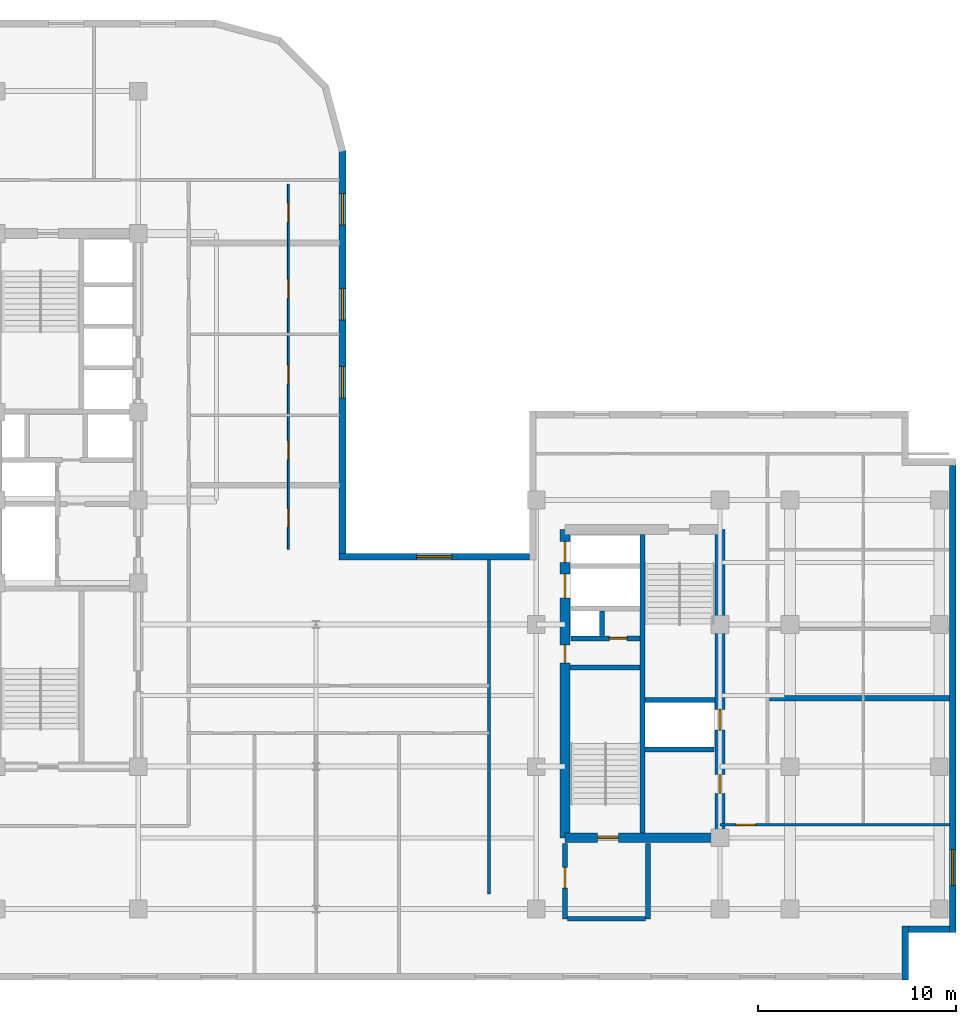
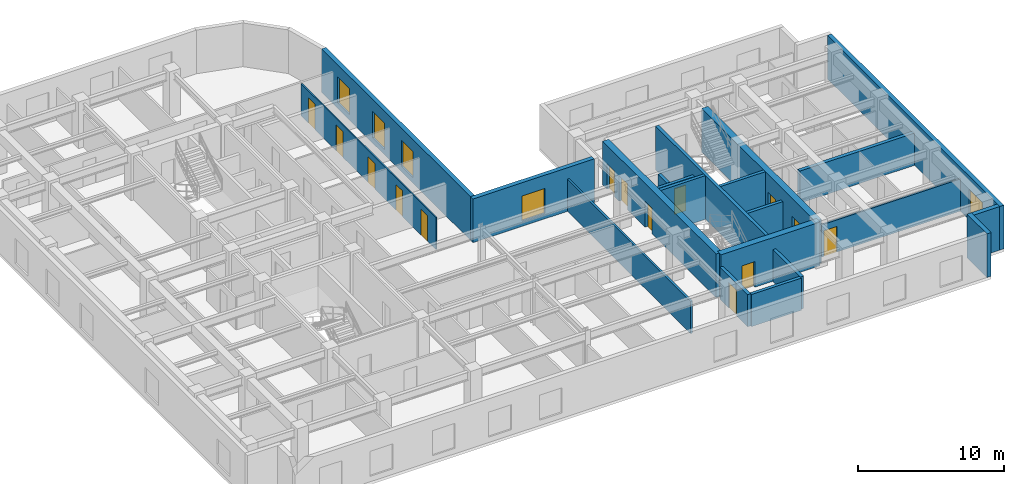
# One storey, part 6 of 11: 21 walls, 14 doors, 5 windows, 19 openings.
"""IFC4 building model written with IfcOpenShell, lengths in metres."""

from ifc_helpers import new_model, entity, si_unit, converted_unit, direction, frame, origin_with_axes, origin_2d_with_axis, place, context, subcontext, project, spatial, polyline, rectangle, outline, extrude, material, layer, layer_set, type_object, element, fill, save


model = new_model("IFC4")

# Units and contexts
model_context = context("Model", 3, precision=1e-05, world=origin_with_axes(), true_north=direction((0.0, 1.0)))
body_context = subcontext(model_context, "Body", "Model", "MODEL_VIEW")
ifc_project = project(units=[si_unit("LENGTHUNIT", "METRE"), si_unit("AREAUNIT", "SQUARE_METRE"), si_unit("VOLUMEUNIT", "CUBIC_METRE"), converted_unit("PLANEANGLEUNIT", "DEGREE", entity("IfcPlaneAngleMeasure", 0.017453292519943295), si_unit("PLANEANGLEUNIT", "RADIAN"), dimensions=[0, 0, 0, 0, 0, 0, 0]), si_unit("MASSUNIT", "GRAM", prefix="KILO"), si_unit("THERMODYNAMICTEMPERATUREUNIT", "KELVIN")], contexts=[model_context])

# Site, building, storey
site_placement = place(None, origin_with_axes())
site = spatial("IfcSite", under=ifc_project, at=site_placement, CompositionType="ELEMENT")
building_placement = place(site_placement, origin_with_axes())
building = spatial("IfcBuilding", under=site, at=building_placement, Name="Varnlund Millrace Tower", CompositionType="ELEMENT")
storey_placement = place(building_placement, frame((0.0, 0.0, 200.4), z_axis=(0.0, 0.0, 1.0), x_axis=(1.0, 0.0, 0.0)))
storey = spatial("IfcBuildingStorey", under=building, at=storey_placement, Name="L49", CompositionType="ELEMENT", Elevation=200.4)

# Wall, openings, doors
ifc_material_1 = material(Name="Concrete C70/85", Category="concrete")
ifc_layer_1 = layer(ifc_material_1, 0.5, Name="Concrete C70/85")
ifc_layer_set_1 = layer_set([ifc_layer_1], Name="Concrete C70/85")
wall_type_1 = type_object("IfcWallType", Name="Type-CoreWall-Shear-500-C70", PredefinedType="SHEAR", material=ifc_layer_set_1)
wall_1_placement = place(storey_placement, frame((40.2, 7.2, 0.0), z_axis=(0.0, 0.0, 1.0), x_axis=(0.0, 1.0, 0.0)))
wall_1 = element("IfcWall", 1, at=wall_1_placement, inside=storey, type_object=wall_type_1, Name="Type-CoreWall-Shear-500-C70", PredefinedType="SHEAR", context=body_context, shape_type="SweptSolid", body=[
    extrude(outline(polyline([(0.0, -0.25), (15.6, -0.25), (15.6, 0.25), (0.0, 0.25), (0.0, -0.25)])), origin_with_axes(), (0.0, 0.0, 1.0), 3.66),
])
opening_1_placement = place(wall_1_placement, frame((14.475, 0.0, 0.0), z_axis=(0.0, 0.0, 1.0), x_axis=(1.0, 0.0, 0.0)))
opening_1 = element("IfcOpeningElement", 2, at=opening_1_placement, cuts=wall_1, Name="Opening L49:LD-ELV-M4", PredefinedType="OPENING", context=body_context, shape_type="SweptSolid", body=[
    extrude(rectangle(XDim=1.05, YDim=0.52, at=origin_2d_with_axis()), origin_with_axes(), (0.0, 0.0, 1.0), 2.15),
])
opening_2_placement = place(wall_1_placement, frame((12.75, 0.0, 0.0), z_axis=(0.0, 0.0, 1.0), x_axis=(1.0, 0.0, 0.0)))
opening_2 = element("IfcOpeningElement", 3, at=opening_2_placement, cuts=wall_1, Name="Opening L49:LD-SRV2", PredefinedType="OPENING", context=body_context, shape_type="SweptSolid", body=[
    extrude(rectangle(XDim=1.2, YDim=0.52, at=origin_2d_with_axis()), origin_with_axes(), (0.0, 0.0, 1.0), 2.15),
])
opening_3_placement = place(wall_1_placement, frame((9.3, 0.0, 0.0), z_axis=(0.0, 0.0, 1.0), x_axis=(1.0, 0.0, 0.0)))
opening_3 = element("IfcOpeningElement", 4, at=opening_3_placement, cuts=wall_1, Name="Opening L49:DR-CB-JAN", PredefinedType="OPENING", context=body_context, shape_type="SweptSolid", body=[
    extrude(rectangle(XDim=0.9, YDim=0.52, at=origin_2d_with_axis()), origin_with_axes(), (0.0, 0.0, 1.0), 2.15),
])
ifc_material_2 = material(Name="Fire-rated hollow steel service closet door", Category="steel")
door_type_1 = type_object("IfcDoorType", Name="Type-FireDoor-Closet-900X2150", OperationType="NOTDEFINED", PredefinedType="DOOR", material=ifc_material_2)
door_1_placement = place(wall_1_placement, frame((9.3, 0.0, 0.0), z_axis=(0.0, 0.0, 1.0), x_axis=(1.0, 0.0, 0.0)))
door_1 = element("IfcDoor", 5, at=door_1_placement, inside=storey, type_object=door_type_1, Name="Type-FireDoor-Closet-900X2150", OperationType="SINGLE_SWING_RIGHT", OverallHeight=2.15, OverallWidth=0.9, PredefinedType="DOOR", context=body_context, shape_type="SweptSolid", body=[
    extrude(rectangle(XDim=0.9, YDim=0.09, at=origin_2d_with_axis()), origin_with_axes(), (0.0, 0.0, 1.0), 2.15),
])
fill(opening_3, door_1)
ifc_material_3 = material(Name="Architectural bronze sliding landing door")
door_type_2 = type_object("IfcDoorType", Name="Type-LiftLandingDoor-Compact-1050X2150", OperationType="NOTDEFINED", PredefinedType="DOOR", material=ifc_material_3)
door_2_placement = place(wall_1_placement, frame((14.475, 0.0, 0.0), z_axis=(0.0, 0.0, 1.0), x_axis=(1.0, 0.0, 0.0)))
door_2 = element("IfcDoor", 6, at=door_2_placement, inside=storey, type_object=door_type_2, Name="Type-LiftLandingDoor-Compact-1050X2150", OperationType="SLIDING_TO_RIGHT", OverallHeight=2.15, OverallWidth=1.05, PredefinedType="DOOR", context=body_context, shape_type="SweptSolid", body=[
    extrude(rectangle(XDim=1.05, YDim=0.09, at=origin_2d_with_axis()), origin_with_axes(), (0.0, 0.0, 1.0), 2.15),
])
fill(opening_1, door_2)
ifc_material_4 = material(Name="Heavy-duty freight sliding landing door")
door_type_3 = type_object("IfcDoorType", Name="Type-LiftLandingDoor-Service-1200X2150", OperationType="NOTDEFINED", PredefinedType="DOOR", material=ifc_material_4)
door_3_placement = place(wall_1_placement, frame((12.75, 0.0, 0.0), z_axis=(0.0, 0.0, 1.0), x_axis=(1.0, 0.0, 0.0)))
door_3 = element("IfcDoor", 7, at=door_3_placement, inside=storey, type_object=door_type_3, Name="Type-LiftLandingDoor-Service-1200X2150", OperationType="DOUBLE_DOOR_SLIDING", OverallHeight=2.15, OverallWidth=1.2, PredefinedType="DOOR", context=body_context, shape_type="SweptSolid", body=[
    extrude(rectangle(XDim=1.2, YDim=0.09, at=origin_2d_with_axis()), origin_with_axes(), (0.0, 0.0, 1.0), 2.15),
])
fill(opening_2, door_3)

# Wall, opening, door
wall_2_placement = place(storey_placement, frame((40.2, 7.2, 0.0), z_axis=(0.0, 0.0, 1.0), x_axis=(1.0, 0.0, 0.0)))
wall_2 = element("IfcWall", 8, at=wall_2_placement, inside=storey, type_object=wall_type_1, Name="Type-CoreWall-Shear-500-C70", PredefinedType="SHEAR", context=body_context, shape_type="SweptSolid", body=[
    extrude(outline(polyline([(0.0, -0.25), (7.85, -0.25), (7.85, 0.25), (0.0, 0.25), (0.0, -0.25)])), origin_with_axes(), (0.0, 0.0, 1.0), 3.66),
])
opening_4_placement = place(wall_2_placement, frame((2.175, 0.0, 0.0), z_axis=(0.0, 0.0, 1.0), x_axis=(1.0, 0.0, 0.0)))
opening_4 = element("IfcOpeningElement", 9, at=opening_4_placement, cuts=wall_2, Name="Opening L49:DR-STB1", PredefinedType="OPENING", context=body_context, shape_type="SweptSolid", body=[
    extrude(rectangle(XDim=1.05, YDim=0.52, at=origin_2d_with_axis()), origin_with_axes(), (0.0, 0.0, 1.0), 2.15),
])
ifc_material_5 = material(Name="Fire-rated hollow steel door", Category="steel")
door_type_4 = type_object("IfcDoorType", Name="Type-FireDoor-Stair-1050X2150", OperationType="NOTDEFINED", PredefinedType="DOOR", material=ifc_material_5)
door_4_placement = place(wall_2_placement, frame((2.175, 0.0, 0.0), z_axis=(0.0, 0.0, 1.0), x_axis=(1.0, 0.0, 0.0)))
door_4 = element("IfcDoor", 10, at=door_4_placement, inside=storey, type_object=door_type_4, Name="Type-FireDoor-Stair-1050X2150", OperationType="SINGLE_SWING_LEFT", OverallHeight=2.15, OverallWidth=1.05, PredefinedType="DOOR", context=body_context, shape_type="SweptSolid", body=[
    extrude(rectangle(XDim=1.05, YDim=0.09, at=origin_2d_with_axis()), origin_with_axes(), (0.0, 0.0, 1.0), 2.15),
])
fill(opening_4, door_4)

# Wall, openings, doors
wall_3_placement = place(storey_placement, frame((48.05, 7.2, 0.0), z_axis=(0.0, 0.0, 1.0), x_axis=(0.0, 1.0, 0.0)))
wall_3 = element("IfcWall", 11, at=wall_3_placement, inside=storey, type_object=wall_type_1, Name="Type-CoreWall-Shear-500-C70", PredefinedType="SHEAR", context=body_context, shape_type="SweptSolid", body=[
    extrude(outline(polyline([(0.0, -0.25), (15.6, -0.25), (15.6, 0.25), (0.0, 0.25), (0.0, -0.25)])), origin_with_axes(), (0.0, 0.0, 1.0), 3.66),
])
opening_5_placement = place(wall_3_placement, frame((5.975, 0.0, 0.0), z_axis=(0.0, 0.0, 1.0), x_axis=(1.0, 0.0, 0.0)))
opening_5 = element("IfcOpeningElement", 12, at=opening_5_placement, cuts=wall_3, Name="Opening L49:LD-ELV-M3", PredefinedType="OPENING", context=body_context, shape_type="SweptSolid", body=[
    extrude(rectangle(XDim=1.05, YDim=0.52, at=origin_2d_with_axis()), origin_with_axes(), (0.0, 0.0, 1.0), 2.15),
])
opening_6_placement = place(wall_3_placement, frame((2.725, 0.0, 0.0), z_axis=(0.0, 0.0, 1.0), x_axis=(1.0, 0.0, 0.0)))
opening_6 = element("IfcOpeningElement", 13, at=opening_6_placement, cuts=wall_3, Name="Opening L49:DR-CB-WC", PredefinedType="OPENING", context=body_context, shape_type="SweptSolid", body=[
    extrude(rectangle(XDim=0.95, YDim=0.52, at=origin_2d_with_axis()), origin_with_axes(), (0.0, 0.0, 1.0), 2.15),
])
ifc_material_6 = material(Name="Fire-rated hollow steel core service door", Category="steel")
door_type_5 = type_object("IfcDoorType", Name="Type-FireDoor-Service-950X2150", OperationType="NOTDEFINED", PredefinedType="DOOR", material=ifc_material_6)
door_5_placement = place(wall_3_placement, frame((2.725, 0.0, 0.0), z_axis=(0.0, 0.0, 1.0), x_axis=(1.0, 0.0, 0.0)))
door_5 = element("IfcDoor", 14, at=door_5_placement, inside=storey, type_object=door_type_5, Name="Type-FireDoor-Service-950X2150", OperationType="SINGLE_SWING_LEFT", OverallHeight=2.15, OverallWidth=0.95, PredefinedType="DOOR", context=body_context, shape_type="SweptSolid", body=[
    extrude(rectangle(XDim=0.95, YDim=0.09, at=origin_2d_with_axis()), origin_with_axes(), (0.0, 0.0, 1.0), 2.15),
])
fill(opening_6, door_5)
door_6_placement = place(wall_3_placement, frame((5.975, 0.0, 0.0), z_axis=(0.0, 0.0, 1.0), x_axis=(1.0, 0.0, 0.0)))
door_6 = element("IfcDoor", 15, at=door_6_placement, inside=storey, type_object=door_type_2, Name="Type-LiftLandingDoor-Compact-1050X2150", OperationType="SLIDING_TO_LEFT", OverallHeight=2.15, OverallWidth=1.05, PredefinedType="DOOR", context=body_context, shape_type="SweptSolid", body=[
    extrude(rectangle(XDim=1.05, YDim=0.09, at=origin_2d_with_axis()), origin_with_axes(), (0.0, 0.0, 1.0), 2.15),
])
fill(opening_5, door_6)

# Wall, opening, window
ifc_material_7 = material(Name="Precast concrete C50/60", Category="concrete")
ifc_layer_2 = layer(ifc_material_7, 0.34, Name="Precast concrete C50/60")
ifc_layer_set_2 = layer_set([ifc_layer_2], Name="Precast concrete C50/60")
wall_type_2 = type_object("IfcWallType", Name="Type-ExtWall-Precast-Upper-340", PredefinedType="SOLIDWALL", material=ifc_layer_set_2)
wall_4_placement = place(storey_placement, frame((59.83, 26.06, 0.0), z_axis=(0.0, 0.0, 1.0), x_axis=(0.0, -1.0, 0.0)))
wall_4 = element("IfcWall", 16, at=wall_4_placement, inside=storey, type_object=wall_type_2, Name="Type-ExtWall-Precast-Upper-340", PredefinedType="SOLIDWALL", context=body_context, shape_type="SweptSolid", body=[
    extrude(outline(polyline([(0.0, -0.17), (23.66, -0.17), (23.66, 0.17), (0.0, 0.17), (0.0, -0.17)])), origin_with_axes(), (0.0, 0.0, 1.0), 3.66),
])
opening_7_placement = place(wall_4_placement, frame((20.364, 0.0, 0.45), z_axis=(0.0, 0.0, 1.0), x_axis=(1.0, 0.0, 0.0)))
opening_7 = element("IfcOpeningElement", 17, at=opening_7_placement, cuts=wall_4, Name="Opening L49:WN-05", PredefinedType="OPENING", context=body_context, shape_type="SweptSolid", body=[
    extrude(rectangle(XDim=1.8, YDim=0.36, at=origin_2d_with_axis()), origin_with_axes(), (0.0, 0.0, 1.0), 2.1),
])
ifc_material_8 = material(Name="Argon low-e triple glazing in thermally broken bronze frame", Category="glass")
window_type_1 = type_object("IfcWindowType", Name="Type-Window-Punched-1800X2100", PartitioningType="SINGLE_PANEL", PredefinedType="WINDOW", material=ifc_material_8)
window_1_placement = place(wall_4_placement, frame((20.364, 0.0, 0.45), z_axis=(0.0, 0.0, 1.0), x_axis=(1.0, 0.0, 0.0)))
window_1 = element("IfcWindow", 18, at=window_1_placement, inside=storey, type_object=window_type_1, Name="Type-Window-Punched-1800X2100", OverallHeight=2.1, OverallWidth=1.8, PredefinedType="WINDOW", context=body_context, shape_type="SweptSolid", body=[
    extrude(rectangle(XDim=1.8, YDim=0.09, at=origin_2d_with_axis()), origin_with_axes(), (0.0, 0.0, 1.0), 2.1),
])
fill(opening_7, window_1)

# Walls
wall_5_placement = place(storey_placement, frame((59.66, 2.57, 0.0), z_axis=(0.0, 0.0, 1.0), x_axis=(-1.0, 0.0, 0.0)))
element("IfcWall", 19, at=wall_5_placement, inside=storey, type_object=wall_type_2, Name="Type-ExtWall-Precast-Upper-340", PredefinedType="SOLIDWALL", context=body_context, shape_type="SweptSolid", body=[
    extrude(outline(polyline([(0.0, -0.17), (2.06, -0.17), (2.06, 0.17), (0.0, 0.17), (0.0, -0.17)])), origin_with_axes(), (0.0, 0.0, 1.0), 3.66),
])
wall_6_placement = place(storey_placement, frame((57.43, 2.74, 0.0), z_axis=(0.0, 0.0, 1.0), x_axis=(0.0, -1.0, 0.0)))
element("IfcWall", 20, at=wall_6_placement, inside=storey, type_object=wall_type_2, Name="Type-ExtWall-Precast-Upper-340", PredefinedType="SOLIDWALL", context=body_context, shape_type="SweptSolid", body=[
    extrude(outline(polyline([(0.0, -0.17), (2.74, -0.17), (2.74, 0.17), (0.0, 0.17), (0.0, -0.17)])), origin_with_axes(), (0.0, 0.0, 1.0), 3.66),
])

# Wall, openings, windows
wall_7_placement = place(storey_placement, frame((28.942, 42.02, 0.0), z_axis=(0.0, 0.0, 1.0), x_axis=(0.0, -1.0, 0.0)))
wall_7 = element("IfcWall", 21, at=wall_7_placement, inside=storey, type_object=wall_type_2, Name="Type-ExtWall-Precast-Upper-340", PredefinedType="SOLIDWALL", context=body_context, shape_type="SweptSolid", body=[
    extrude(outline(polyline([(0.0, -0.17), (20.42, -0.17), (20.42, 0.17), (0.0, 0.17), (0.0, -0.17)])), origin_with_axes(), (0.0, 0.0, 1.0), 3.66),
])
opening_8_placement = place(wall_7_placement, frame((3.003, 0.0, 0.45), z_axis=(0.0, 0.0, 1.0), x_axis=(1.0, 0.0, 0.0)))
opening_8 = element("IfcOpeningElement", 22, at=opening_8_placement, cuts=wall_7, Name="Opening L49:WN-26", PredefinedType="OPENING", context=body_context, shape_type="SweptSolid", body=[
    extrude(rectangle(XDim=1.6, YDim=0.36, at=origin_2d_with_axis()), origin_with_axes(), (0.0, 0.0, 1.0), 2.2),
])
opening_9_placement = place(wall_7_placement, frame((7.808, 0.0, 0.45), z_axis=(0.0, 0.0, 1.0), x_axis=(1.0, 0.0, 0.0)))
opening_9 = element("IfcOpeningElement", 23, at=opening_9_placement, cuts=wall_7, Name="Opening L49:WN-27", PredefinedType="OPENING", context=body_context, shape_type="SweptSolid", body=[
    extrude(rectangle(XDim=1.6, YDim=0.36, at=origin_2d_with_axis()), origin_with_axes(), (0.0, 0.0, 1.0), 2.2),
])
opening_10_placement = place(wall_7_placement, frame((11.762, 0.0, 0.45), z_axis=(0.0, 0.0, 1.0), x_axis=(1.0, 0.0, 0.0)))
opening_10 = element("IfcOpeningElement", 24, at=opening_10_placement, cuts=wall_7, Name="Opening L49:WN-28", PredefinedType="OPENING", context=body_context, shape_type="SweptSolid", body=[
    extrude(rectangle(XDim=1.6, YDim=0.36, at=origin_2d_with_axis()), origin_with_axes(), (0.0, 0.0, 1.0), 2.2),
])
window_type_2 = type_object("IfcWindowType", Name="Type-Window-Slot-1600X2200", PartitioningType="SINGLE_PANEL", PredefinedType="WINDOW", material=ifc_material_8)
window_2_placement = place(wall_7_placement, frame((3.003, 0.0, 0.45), z_axis=(0.0, 0.0, 1.0), x_axis=(1.0, 0.0, 0.0)))
window_2 = element("IfcWindow", 25, at=window_2_placement, inside=storey, type_object=window_type_2, Name="Type-Window-Slot-1600X2200", OverallHeight=2.2, OverallWidth=1.6, PredefinedType="WINDOW", context=body_context, shape_type="SweptSolid", body=[
    extrude(rectangle(XDim=1.6, YDim=0.09, at=origin_2d_with_axis()), origin_with_axes(), (0.0, 0.0, 1.0), 2.2),
])
fill(opening_8, window_2)
window_3_placement = place(wall_7_placement, frame((7.808, 0.0, 0.45), z_axis=(0.0, 0.0, 1.0), x_axis=(1.0, 0.0, 0.0)))
window_3 = element("IfcWindow", 26, at=window_3_placement, inside=storey, type_object=window_type_2, Name="Type-Window-Slot-1600X2200", OverallHeight=2.2, OverallWidth=1.6, PredefinedType="WINDOW", context=body_context, shape_type="SweptSolid", body=[
    extrude(rectangle(XDim=1.6, YDim=0.09, at=origin_2d_with_axis()), origin_with_axes(), (0.0, 0.0, 1.0), 2.2),
])
fill(opening_9, window_3)
window_4_placement = place(wall_7_placement, frame((11.762, 0.0, 0.45), z_axis=(0.0, 0.0, 1.0), x_axis=(1.0, 0.0, 0.0)))
window_4 = element("IfcWindow", 27, at=window_4_placement, inside=storey, type_object=window_type_2, Name="Type-Window-Slot-1600X2200", OverallHeight=2.2, OverallWidth=1.6, PredefinedType="WINDOW", context=body_context, shape_type="SweptSolid", body=[
    extrude(rectangle(XDim=1.6, YDim=0.09, at=origin_2d_with_axis()), origin_with_axes(), (0.0, 0.0, 1.0), 2.2),
])
fill(opening_10, window_4)

# Wall, opening, window
wall_8_placement = place(storey_placement, frame((28.772, 21.43, 0.0), z_axis=(0.0, 0.0, 1.0), x_axis=(1.0, 0.0, 0.0)))
wall_8 = element("IfcWall", 28, at=wall_8_placement, inside=storey, type_object=wall_type_2, Name="Type-ExtWall-Precast-Upper-340", PredefinedType="SOLIDWALL", context=body_context, shape_type="SweptSolid", body=[
    extrude(outline(polyline([(0.0, -0.17), (9.628, -0.17), (9.628, 0.17), (0.0, 0.17), (0.0, -0.17)])), origin_with_axes(), (0.0, 0.0, 1.0), 3.66),
])
opening_11_placement = place(wall_8_placement, frame((4.814, 0.0, 0.45), z_axis=(0.0, 0.0, 1.0), x_axis=(1.0, 0.0, 0.0)))
opening_11 = element("IfcOpeningElement", 29, at=opening_11_placement, cuts=wall_8, Name="Opening L49:WN-29", PredefinedType="OPENING", context=body_context, shape_type="SweptSolid", body=[
    extrude(rectangle(XDim=1.8, YDim=0.36, at=origin_2d_with_axis()), origin_with_axes(), (0.0, 0.0, 1.0), 2.1),
])
window_5_placement = place(wall_8_placement, frame((4.814, 0.0, 0.45), z_axis=(0.0, 0.0, 1.0), x_axis=(1.0, 0.0, 0.0)))
window_5 = element("IfcWindow", 30, at=window_5_placement, inside=storey, type_object=window_type_1, Name="Type-Window-Punched-1800X2100", OverallHeight=2.1, OverallWidth=1.8, PredefinedType="WINDOW", context=body_context, shape_type="SweptSolid", body=[
    extrude(rectangle(XDim=1.8, YDim=0.09, at=origin_2d_with_axis()), origin_with_axes(), (0.0, 0.0, 1.0), 2.1),
])
fill(opening_11, window_5)

# Walls
ifc_material_9 = material(Name="Double-stud STC-60 conference acoustic partition", Category="gypsum")
ifc_layer_3 = layer(ifc_material_9, 0.28, Name="Double-stud STC-60 conference acoustic partition")
ifc_layer_set_3 = layer_set([ifc_layer_3], Name="Double-stud STC-60 conference acoustic partition")
wall_type_3 = type_object("IfcWallType", Name="Type-Partition-Acoustic-280", PredefinedType="PARTITIONING", material=ifc_layer_set_3)
wall_9_placement = place(storey_placement, frame((50.57, 14.255, 0.0), z_axis=(0.0, 0.0, 1.0), x_axis=(1.0, 0.0, 0.0)))
element("IfcWall", 31, at=wall_9_placement, inside=storey, type_object=wall_type_3, Name="Type-Partition-Acoustic-280", PredefinedType="PARTITIONING", context=body_context, shape_type="SweptSolid", body=[
    extrude(outline(polyline([(0.0, -0.14), (9.095, -0.14), (9.095, 0.14), (0.0, 0.14), (0.0, -0.14)])), origin_with_axes(), (0.0, 0.0, 1.0), 2.7),
])
ifc_material_10 = material(Name="Fire-rated gypsum board on cold-formed steel framing", Category="steel")
ifc_layer_4 = layer(ifc_material_10, 0.16, Name="Fire-rated gypsum board on cold-formed steel framing")
ifc_layer_set_4 = layer_set([ifc_layer_4], Name="Fire-rated gypsum board on cold-formed steel framing")
wall_type_4 = type_object("IfcWallType", Name="Type-Partition-Corridor-160", PredefinedType="PARTITIONING", material=ifc_layer_set_4)
wall_10_placement = place(storey_placement, frame((36.35, 4.35, 0.0), z_axis=(0.0, 0.0, 1.0), x_axis=(0.0, 1.0, 0.0)))
element("IfcWall", 32, at=wall_10_placement, inside=storey, type_object=wall_type_4, Name="Type-Partition-Corridor-160", PredefinedType="PARTITIONING", context=body_context, shape_type="SweptSolid", body=[
    extrude(outline(polyline([(0.0, -0.08), (16.95, -0.08), (16.95, 0.08), (0.0, 0.08), (0.0, -0.08)])), origin_with_axes(), (0.0, 0.0, 1.0), 2.7),
])

# Wall, openings, doors
ifc_material_11 = material(Name="Architectural bronze and acoustic glass office front", Category="glass")
ifc_layer_5 = layer(ifc_material_11, 0.1, Name="Architectural bronze and acoustic glass office front")
ifc_layer_set_5 = layer_set([ifc_layer_5], Name="Architectural bronze and acoustic glass office front")
wall_type_5 = type_object("IfcWallType", Name="Type-Partition-Glazed-100", PredefinedType="PARTITIONING", material=ifc_layer_set_5)
wall_11_placement = place(storey_placement, frame((26.2, 21.8, 0.0), z_axis=(0.0, 0.0, 1.0), x_axis=(0.0, 1.0, 0.0)))
wall_11 = element("IfcWall", 33, at=wall_11_placement, inside=storey, type_object=wall_type_5, Name="Type-Partition-Glazed-100", PredefinedType="PARTITIONING", context=body_context, shape_type="SweptSolid", body=[
    extrude(outline(polyline([(0.0, -0.05), (18.5, -0.05), (18.5, 0.05), (0.0, 0.05), (0.0, -0.05)])), origin_with_axes(), (0.0, 0.0, 1.0), 2.7),
])
opening_12_placement = place(wall_11_placement, frame((1.5895, 0.0, 0.0), z_axis=(0.0, 0.0, 1.0), x_axis=(1.0, 0.0, 0.0)))
opening_12 = element("IfcOpeningElement", 34, at=opening_12_placement, cuts=wall_11, Name="Opening L49:DR-FLR-S01", PredefinedType="OPENING", context=body_context, shape_type="SweptSolid", body=[
    extrude(rectangle(XDim=0.95, YDim=0.12, at=origin_2d_with_axis()), origin_with_axes(), (0.0, 0.0, 1.0), 2.15),
])
opening_13_placement = place(wall_11_placement, frame((5.026, 0.0, 0.0), z_axis=(0.0, 0.0, 1.0), x_axis=(1.0, 0.0, 0.0)))
opening_13 = element("IfcOpeningElement", 35, at=opening_13_placement, cuts=wall_11, Name="Opening L49:DR-FLR-S02", PredefinedType="OPENING", context=body_context, shape_type="SweptSolid", body=[
    extrude(rectangle(XDim=0.95, YDim=0.12, at=origin_2d_with_axis()), origin_with_axes(), (0.0, 0.0, 1.0), 2.15),
])
opening_14_placement = place(wall_11_placement, frame((8.849, 0.0, 0.0), z_axis=(0.0, 0.0, 1.0), x_axis=(1.0, 0.0, 0.0)))
opening_14 = element("IfcOpeningElement", 36, at=opening_14_placement, cuts=wall_11, Name="Opening L49:DR-FLR-S03", PredefinedType="OPENING", context=body_context, shape_type="SweptSolid", body=[
    extrude(rectangle(XDim=0.95, YDim=0.12, at=origin_2d_with_axis()), origin_with_axes(), (0.0, 0.0, 1.0), 2.15),
])
opening_15_placement = place(wall_11_placement, frame((13.2045, 0.0, 0.0), z_axis=(0.0, 0.0, 1.0), x_axis=(1.0, 0.0, 0.0)))
opening_15 = element("IfcOpeningElement", 37, at=opening_15_placement, cuts=wall_11, Name="Opening L49:DR-FLR-S04", PredefinedType="OPENING", context=body_context, shape_type="SweptSolid", body=[
    extrude(rectangle(XDim=0.95, YDim=0.12, at=origin_2d_with_axis()), origin_with_axes(), (0.0, 0.0, 1.0), 2.15),
])
opening_16_placement = place(wall_11_placement, frame((17.042, 0.0, 0.0), z_axis=(0.0, 0.0, 1.0), x_axis=(1.0, 0.0, 0.0)))
opening_16 = element("IfcOpeningElement", 38, at=opening_16_placement, cuts=wall_11, Name="Opening L49:DR-FLR-S05", PredefinedType="OPENING", context=body_context, shape_type="SweptSolid", body=[
    extrude(rectangle(XDim=0.95, YDim=0.12, at=origin_2d_with_axis()), origin_with_axes(), (0.0, 0.0, 1.0), 2.15),
])
ifc_material_12 = material(Name="Solid-core acoustic office door")
door_type_6 = type_object("IfcDoorType", Name="Type-IntDoor-Tenant-950X2150", OperationType="NOTDEFINED", PredefinedType="DOOR", material=ifc_material_12)
door_7_placement = place(wall_11_placement, frame((1.5895, 0.0, 0.0), z_axis=(0.0, 0.0, 1.0), x_axis=(1.0, 0.0, 0.0)))
door_7 = element("IfcDoor", 39, at=door_7_placement, inside=storey, type_object=door_type_6, Name="Type-IntDoor-Tenant-950X2150", OperationType="SINGLE_SWING_LEFT", OverallHeight=2.15, OverallWidth=0.95, PredefinedType="DOOR", context=body_context, shape_type="SweptSolid", body=[
    extrude(rectangle(XDim=0.95, YDim=0.06, at=origin_2d_with_axis()), origin_with_axes(), (0.0, 0.0, 1.0), 2.15),
])
fill(opening_12, door_7)
door_8_placement = place(wall_11_placement, frame((5.026, 0.0, 0.0), z_axis=(0.0, 0.0, 1.0), x_axis=(1.0, 0.0, 0.0)))
door_8 = element("IfcDoor", 40, at=door_8_placement, inside=storey, type_object=door_type_6, Name="Type-IntDoor-Tenant-950X2150", OperationType="SINGLE_SWING_LEFT", OverallHeight=2.15, OverallWidth=0.95, PredefinedType="DOOR", context=body_context, shape_type="SweptSolid", body=[
    extrude(rectangle(XDim=0.95, YDim=0.06, at=origin_2d_with_axis()), origin_with_axes(), (0.0, 0.0, 1.0), 2.15),
])
fill(opening_13, door_8)
door_9_placement = place(wall_11_placement, frame((8.849, 0.0, 0.0), z_axis=(0.0, 0.0, 1.0), x_axis=(1.0, 0.0, 0.0)))
door_9 = element("IfcDoor", 41, at=door_9_placement, inside=storey, type_object=door_type_6, Name="Type-IntDoor-Tenant-950X2150", OperationType="SINGLE_SWING_LEFT", OverallHeight=2.15, OverallWidth=0.95, PredefinedType="DOOR", context=body_context, shape_type="SweptSolid", body=[
    extrude(rectangle(XDim=0.95, YDim=0.06, at=origin_2d_with_axis()), origin_with_axes(), (0.0, 0.0, 1.0), 2.15),
])
fill(opening_14, door_9)
door_10_placement = place(wall_11_placement, frame((13.2045, 0.0, 0.0), z_axis=(0.0, 0.0, 1.0), x_axis=(1.0, 0.0, 0.0)))
door_10 = element("IfcDoor", 42, at=door_10_placement, inside=storey, type_object=door_type_6, Name="Type-IntDoor-Tenant-950X2150", OperationType="SINGLE_SWING_LEFT", OverallHeight=2.15, OverallWidth=0.95, PredefinedType="DOOR", context=body_context, shape_type="SweptSolid", body=[
    extrude(rectangle(XDim=0.95, YDim=0.06, at=origin_2d_with_axis()), origin_with_axes(), (0.0, 0.0, 1.0), 2.15),
])
fill(opening_15, door_10)
door_11_placement = place(wall_11_placement, frame((17.042, 0.0, 0.0), z_axis=(0.0, 0.0, 1.0), x_axis=(1.0, 0.0, 0.0)))
door_11 = element("IfcDoor", 43, at=door_11_placement, inside=storey, type_object=door_type_6, Name="Type-IntDoor-Tenant-950X2150", OperationType="SINGLE_SWING_LEFT", OverallHeight=2.15, OverallWidth=0.95, PredefinedType="DOOR", context=body_context, shape_type="SweptSolid", body=[
    extrude(rectangle(XDim=0.95, YDim=0.06, at=origin_2d_with_axis()), origin_with_axes(), (0.0, 0.0, 1.0), 2.15),
])
fill(opening_16, door_11)

# Wall, opening, door
ifc_material_13 = material(Name="Gypsum board tenant partition", Category="gypsum")
ifc_layer_6 = layer(ifc_material_13, 0.125, Name="Gypsum board tenant partition")
ifc_layer_set_6 = layer_set([ifc_layer_6], Name="Gypsum board tenant partition")
wall_type_6 = type_object("IfcWallType", Name="Type-Partition-Tenant-125", PredefinedType="PARTITIONING", material=ifc_layer_set_6)
wall_12_placement = place(storey_placement, frame((59.665, 7.85, 0.0), z_axis=(0.0, 0.0, 1.0), x_axis=(-1.0, 0.0, 0.0)))
wall_12 = element("IfcWall", 44, at=wall_12_placement, inside=storey, type_object=wall_type_6, Name="Type-Partition-Tenant-125", PredefinedType="PARTITIONING", context=body_context, shape_type="SweptSolid", body=[
    extrude(outline(polyline([(0.0, -0.0625), (11.615, -0.0625), (11.615, 0.0625), (0.0, 0.0625), (0.0, -0.0625)])), origin_with_axes(), (0.0, 0.0, 1.0), 2.7),
])
opening_17_placement = place(wall_12_placement, frame((10.315, 0.0, 0.0), z_axis=(0.0, 0.0, 1.0), x_axis=(1.0, 0.0, 0.0)))
opening_17 = element("IfcOpeningElement", 45, at=opening_17_placement, cuts=wall_12, Name="Opening L49:DR-WBS-01", PredefinedType="OPENING", context=body_context, shape_type="SweptSolid", body=[
    extrude(rectangle(XDim=1.0, YDim=0.145, at=origin_2d_with_axis()), origin_with_axes(), (0.0, 0.0, 1.0), 2.15),
])
ifc_material_14 = material(Name="Solid-core white oak and bronze frame door")
door_type_7 = type_object("IfcDoorType", Name="Type-IntDoor-Office-1000X2150", OperationType="NOTDEFINED", PredefinedType="DOOR", material=ifc_material_14)
door_12_placement = place(wall_12_placement, frame((10.315, 0.0, 0.0), z_axis=(0.0, 0.0, 1.0), x_axis=(1.0, 0.0, 0.0)))
door_12 = element("IfcDoor", 46, at=door_12_placement, inside=storey, type_object=door_type_7, Name="Type-IntDoor-Office-1000X2150", OperationType="SINGLE_SWING_LEFT", OverallHeight=2.15, OverallWidth=1.0, PredefinedType="DOOR", context=body_context, shape_type="SweptSolid", body=[
    extrude(rectangle(XDim=1.0, YDim=0.075, at=origin_2d_with_axis()), origin_with_axes(), (0.0, 0.0, 1.0), 2.15),
])
fill(opening_17, door_12)

ifc_material_15 = material(Name="Concrete C60/75", Category="concrete")
ifc_layer_7 = layer(ifc_material_15, 0.25, Name="Concrete C60/75")
ifc_layer_set_7 = layer_set([ifc_layer_7], Name="Concrete C60/75")
wall_type_7 = type_object("IfcWallType", Name="Type-ShaftWall-Fire-250", PredefinedType="SOLIDWALL", material=ifc_layer_set_7)
wall_13_placement = place(storey_placement, frame((40.5, 17.3, 0.0), z_axis=(0.0, 0.0, 1.0), x_axis=(1.0, 0.0, 0.0)))
wall_13 = element("IfcWall", 47, at=wall_13_placement, inside=storey, type_object=wall_type_7, Name="Type-ShaftWall-Fire-250", PredefinedType="SOLIDWALL", context=body_context, shape_type="SweptSolid", body=[
    extrude(outline(polyline([(0.0, -0.125), (3.5, -0.125), (3.5, 0.125), (0.0, 0.125), (0.0, -0.125)])), origin_with_axes(), (0.0, 0.0, 1.0), 2.7),
])
opening_18_placement = place(wall_13_placement, frame((2.4, 0.0, 0.0), z_axis=(0.0, 0.0, 1.0), x_axis=(1.0, 0.0, 0.0)))
opening_18 = element("IfcOpeningElement", 48, at=opening_18_placement, cuts=wall_13, Name="Opening L49:DR-CB-ELC", PredefinedType="OPENING", context=body_context, shape_type="SweptSolid", body=[
    extrude(rectangle(XDim=0.9, YDim=0.27, at=origin_2d_with_axis()), origin_with_axes(), (0.0, 0.0, 1.0), 2.15),
])
door_13_placement = place(wall_13_placement, frame((2.4, 0.0, 0.0), z_axis=(0.0, 0.0, 1.0), x_axis=(1.0, 0.0, 0.0)))
door_13 = element("IfcDoor", 49, at=door_13_placement, inside=storey, type_object=door_type_1, Name="Type-FireDoor-Closet-900X2150", OperationType="SINGLE_SWING_LEFT", OverallHeight=2.15, OverallWidth=0.9, PredefinedType="DOOR", context=body_context, shape_type="SweptSolid", body=[
    extrude(rectangle(XDim=0.9, YDim=0.09, at=origin_2d_with_axis()), origin_with_axes(), (0.0, 0.0, 1.0), 2.15),
])
fill(opening_18, door_13)

# Wall
wall_14_placement = place(storey_placement, frame((42.075, 17.43, 0.0), z_axis=(0.0, 0.0, 1.0), x_axis=(0.0, 1.0, 0.0)))
element("IfcWall", 50, at=wall_14_placement, inside=storey, type_object=wall_type_7, Name="Type-ShaftWall-Fire-250", PredefinedType="SOLIDWALL", context=body_context, shape_type="SweptSolid", body=[
    extrude(outline(polyline([(0.0, -0.125), (1.24, -0.125), (1.24, 0.125), (0.0, 0.125), (0.0, -0.125)])), origin_with_axes(), (0.0, 0.0, 1.0), 2.7),
])

# Wall, opening, door
wall_15_placement = place(storey_placement, frame((40.2, 3.1, 0.0), z_axis=(0.0, 0.0, 1.0), x_axis=(0.0, 1.0, 0.0)))
wall_15 = element("IfcWall", 51, at=wall_15_placement, inside=storey, type_object=wall_type_7, Name="Type-ShaftWall-Fire-250", PredefinedType="SOLIDWALL", context=body_context, shape_type="SweptSolid", body=[
    extrude(outline(polyline([(0.0, -0.125), (3.8, -0.125), (3.8, 0.125), (0.0, 0.125), (0.0, -0.125)])), origin_with_axes(), (0.0, 0.0, 1.0), 2.7),
])
opening_19_placement = place(wall_15_placement, frame((2.075, 0.0, 0.0), z_axis=(0.0, 0.0, 1.0), x_axis=(1.0, 0.0, 0.0)))
opening_19 = element("IfcOpeningElement", 52, at=opening_19_placement, cuts=wall_15, Name="Opening L49:DR-FFLOB-B", PredefinedType="OPENING", context=body_context, shape_type="SweptSolid", body=[
    extrude(rectangle(XDim=1.05, YDim=0.27, at=origin_2d_with_axis()), origin_with_axes(), (0.0, 0.0, 1.0), 2.15),
])
ifc_material_16 = material(Name="Smoke-barrier hollow steel fire door", Category="steel")
door_type_8 = type_object("IfcDoorType", Name="Type-FireDoor-Lobby-1050X2150", OperationType="NOTDEFINED", PredefinedType="DOOR", material=ifc_material_16)
door_14_placement = place(wall_15_placement, frame((2.075, 0.0, 0.0), z_axis=(0.0, 0.0, 1.0), x_axis=(1.0, 0.0, 0.0)))
door_14 = element("IfcDoor", 53, at=door_14_placement, inside=storey, type_object=door_type_8, Name="Type-FireDoor-Lobby-1050X2150", OperationType="SINGLE_SWING_LEFT", OverallHeight=2.15, OverallWidth=1.05, PredefinedType="DOOR", context=body_context, shape_type="SweptSolid", body=[
    extrude(rectangle(XDim=1.05, YDim=0.09, at=origin_2d_with_axis()), origin_with_axes(), (0.0, 0.0, 1.0), 2.15),
])
fill(opening_19, door_14)

# Walls
wall_16_placement = place(storey_placement, frame((40.325, 3.1, 0.0), z_axis=(0.0, 0.0, 1.0), x_axis=(1.0, 0.0, 0.0)))
element("IfcWall", 54, at=wall_16_placement, inside=storey, type_object=wall_type_7, Name="Type-ShaftWall-Fire-250", PredefinedType="SOLIDWALL", context=body_context, shape_type="SweptSolid", body=[
    extrude(outline(polyline([(0.0, -0.125), (3.95, -0.125), (3.95, 0.125), (0.0, 0.125), (0.0, -0.125)])), origin_with_axes(), (0.0, 0.0, 1.0), 2.7),
])
wall_17_placement = place(storey_placement, frame((44.4, 3.1, 0.0), z_axis=(0.0, 0.0, 1.0), x_axis=(0.0, 1.0, 0.0)))
element("IfcWall", 55, at=wall_17_placement, inside=storey, type_object=wall_type_7, Name="Type-ShaftWall-Fire-250", PredefinedType="SOLIDWALL", context=body_context, shape_type="SweptSolid", body=[
    extrude(outline(polyline([(0.0, -0.125), (3.8, -0.125), (3.8, 0.125), (0.0, 0.125), (0.0, -0.125)])), origin_with_axes(), (0.0, 0.0, 1.0), 2.7),
])
wall_18_placement = place(storey_placement, frame((44.25, 11.66, 0.0), z_axis=(0.0, 0.0, 1.0), x_axis=(1.0, 0.0, 0.0)))
element("IfcWall", 56, at=wall_18_placement, inside=storey, type_object=wall_type_7, Name="Type-ShaftWall-Fire-250", PredefinedType="SOLIDWALL", context=body_context, shape_type="SweptSolid", body=[
    extrude(outline(polyline([(0.0, -0.125), (3.5, -0.125), (3.5, 0.125), (0.0, 0.125), (0.0, -0.125)])), origin_with_axes(), (0.0, 0.0, 1.0), 2.7),
])
wall_type_8 = type_object("IfcWallType", Name="Type-StairWall-Shear-250", PredefinedType="SHEAR", material=ifc_layer_set_7)
wall_19_placement = place(storey_placement, frame((44.125, 7.45, 0.0), z_axis=(0.0, 0.0, 1.0), x_axis=(0.0, 1.0, 0.0)))
element("IfcWall", 57, at=wall_19_placement, inside=storey, type_object=wall_type_8, Name="Type-StairWall-Shear-250", PredefinedType="SHEAR", context=body_context, shape_type="SweptSolid", body=[
    extrude(outline(polyline([(0.0, -0.125), (15.1, -0.125), (15.1, 0.125), (0.0, 0.125), (0.0, -0.125)])), origin_with_axes(), (0.0, 0.0, 1.0), 3.66),
])
for number, where, z_axis, x_axis, name in (
    (58, (40.45, 15.825, 0.0), (0.0, 0.0, 1.0), (1.0, 0.0, 0.0), "Type-StairWall-Shear-250"),
    (59, (44.25, 14.175, 0.0), (0.0, 0.0, 1.0), (1.0, 0.0, 0.0), "Type-StairWall-Shear-250"),
):
    element("IfcWall", number, at=place(storey_placement, frame(where, z_axis=z_axis, x_axis=x_axis)), inside=storey, type_object=wall_type_8, Name=name, PredefinedType="SHEAR", context=body_context, shape_type="SweptSolid", body=[
        extrude(outline(polyline([(0.0, -0.125), (3.55, -0.125), (3.55, 0.125), (0.0, 0.125), (0.0, -0.125)])), origin_with_axes(), (0.0, 0.0, 1.0), 3.66),
    ])

save(model, "model.ifc")
